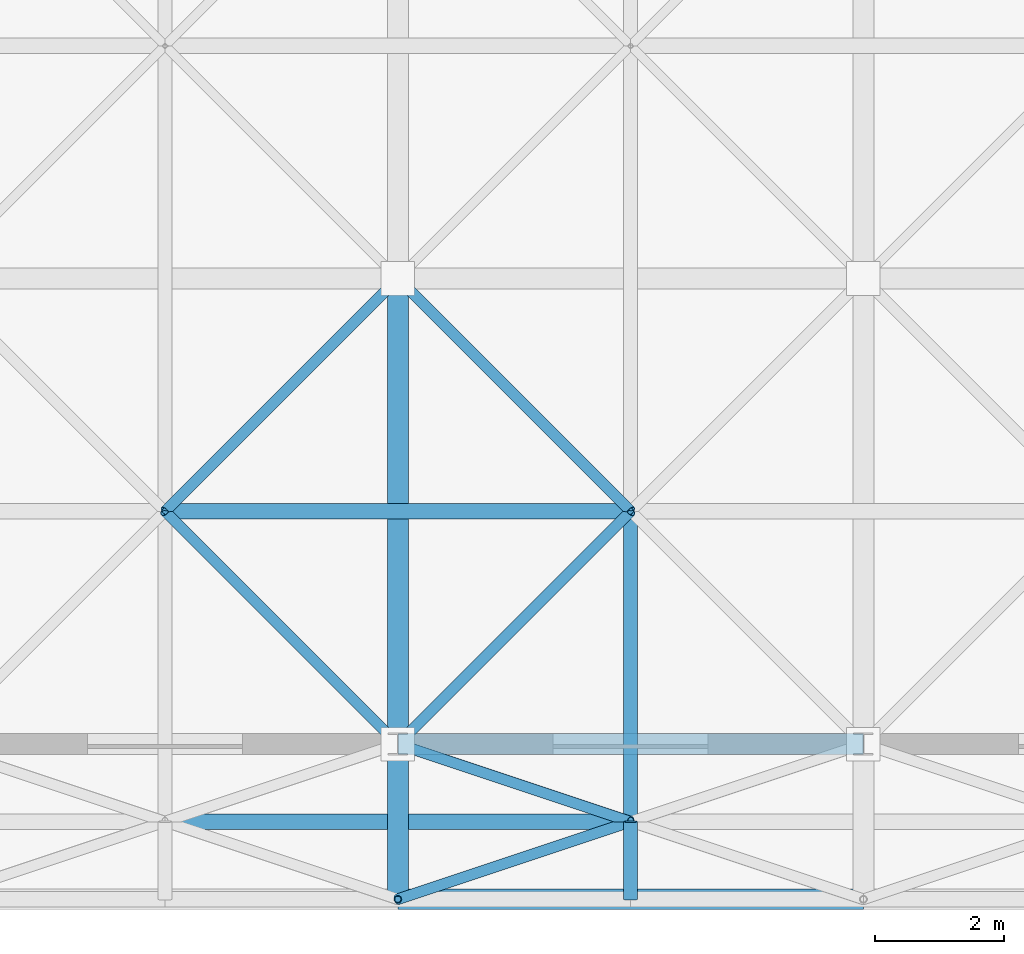
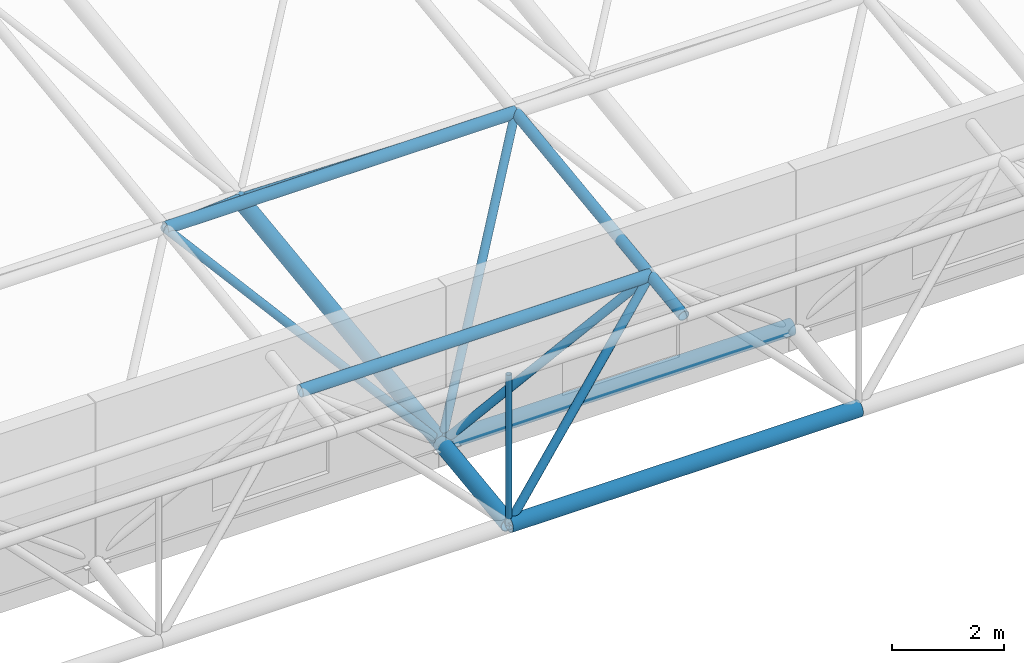
# One storey, part 33 of 103: 15 members.
"""IFC4 building model written with IfcOpenShell, lengths in metres."""

from ifc_helpers import new_model, si_unit, direction, frame, origin, origin_2d, place, context, subcontext, project, spatial, hollow_circle, extrude, material, material_profile, profile_set, type_object, element, save


model = new_model("IFC4")

# Units and contexts
model_context = context("Model", 3, precision=1e-05, world=origin(), true_north=direction((0.0, 1.0)))
body_context = subcontext(model_context, "Body", "Model", "MODEL_VIEW")
ifc_project = project(units=[si_unit("LENGTHUNIT", "METRE"), si_unit("AREAUNIT", "SQUARE_METRE"), si_unit("VOLUMEUNIT", "CUBIC_METRE"), si_unit("PLANEANGLEUNIT", "RADIAN"), si_unit("MASSUNIT", "GRAM", prefix="KILO")], contexts=[model_context])

# Site, building, storey
site_placement = place(None, origin())
site = spatial("IfcSite", under=ifc_project, at=site_placement, CompositionType="ELEMENT")
building_placement = place(site_placement, origin())
building = spatial("IfcBuilding", under=site, at=building_placement, Name="Thalmaran Polytechnic", CompositionType="ELEMENT")
storey_placement = place(building_placement, frame((0.0, 0.0, 14.39990234375)))
storey = spatial("IfcBuildingStorey", under=building, at=storey_placement, Name="L03", CompositionType="ELEMENT", Elevation=14.39990234375)

# Members
ifc_material = material(Name="Steel S355", Category="steel")
ifc_material_profile_1 = material_profile(ifc_material, hollow_circle(Radius=0.161865234375, WallThickness=0.012451171875, at=origin_2d()), Name="CHS 323.9x12.5")
ifc_profile_set_1 = profile_set([ifc_material_profile_1], Name="Steel S355")
member_type_1 = type_object("IfcMemberType", Name="MB-SFC0", PredefinedType="CHORD", material=ifc_profile_set_1)
member_1_placement = place(storey_placement, frame((122.39990234375, 0.0, 0.380126953125), z_axis=(1.0, 0.0, 0.0), x_axis=(0.0, 1.0, 0.0)))
element("IfcMember", 1, at=member_1_placement, inside=storey, type_object=member_type_1, Name="Space-Frame Bottom Chord X (2,1)", PredefinedType="CHORD", context=body_context, shape_type="SweptSolid", body=[
    extrude(hollow_circle(Radius=0.161865234375, WallThickness=0.012451171875, at=origin_2d()), origin(), (0.0, 0.0, 1.0), 7.2001953125),
])
ifc_material_profile_2 = material_profile(ifc_material, hollow_circle(Radius=0.122314453125, WallThickness=0.010009765625, at=origin_2d()), Name="CHS 244.5x10.0")
ifc_profile_set_2 = profile_set([ifc_material_profile_2], Name="Steel S355")
member_type_2 = type_object("IfcMemberType", Name="MB-SFC1", PredefinedType="CHORD", material=ifc_profile_set_2)
for number, where, z_axis, x_axis, name in (
    (2, (118.800048828125, -1.199951171875, 3.4921875), (1.0, 0.0, 0.0), (0.0, 1.0, 0.0), "Space-Frame Top Chord X (2,1)"),
    (3, (118.800048828125, 3.60009765625, 4.1240234375), (1.0, 0.0, 0.0), (0.0, 1.0, 0.0), "Space-Frame Top Chord X (2,2)"),
):
    element("IfcMember", number, at=place(storey_placement, frame(where, z_axis=z_axis, x_axis=x_axis)), inside=storey, type_object=member_type_2, Name=name, PredefinedType="CHORD", context=body_context, shape_type="SweptSolid", body=[
        extrude(hollow_circle(Radius=0.122314453125, WallThickness=0.010009765625, at=origin_2d()), origin(), (0.0, 0.0, 1.0), 7.199951171875),
    ])
ifc_material_profile_3 = material_profile(ifc_material, hollow_circle(Radius=0.109619140625, WallThickness=0.010009765625, at=origin_2d()), Name="CHS 219.1x10.0")
ifc_profile_set_3 = profile_set([ifc_material_profile_3], Name="Steel S355")
member_type_3 = type_object("IfcMemberType", Name="MB-SFC2", PredefinedType="CHORD", material=ifc_profile_set_3)
member_2_placement = place(storey_placement, frame((126.0, -2.39990234375, 3.334228515625), z_axis=(0.0, 0.99144674145, 0.130511910828), x_axis=(-1.0, 0.0, 0.0)))
element("IfcMember", 4, at=member_2_placement, inside=storey, type_object=member_type_3, Name="Space-Frame Top Chord Y (3,0)", PredefinedType="CHORD", context=body_context, shape_type="SweptSolid", body=[
    extrude(hollow_circle(Radius=0.109619140625, WallThickness=0.010009765625, at=origin_2d()), origin(), (0.0, 0.0, 1.0), 1.210205078125),
])
member_3_placement = place(storey_placement, frame((126.0, -1.199951171875, 3.4921875), z_axis=(0.0, 0.991447600372, 0.130505385777), x_axis=(-1.0, 0.0, 0.0)))
element("IfcMember", 5, at=member_3_placement, inside=storey, type_object=member_type_3, Name="Space-Frame Top Chord Y (3,1)", PredefinedType="CHORD", context=body_context, shape_type="SweptSolid", body=[
    extrude(hollow_circle(Radius=0.109619140625, WallThickness=0.010009765625, at=origin_2d()), origin(), (0.0, 0.0, 1.0), 4.841552734375),
])
ifc_material_profile_4 = material_profile(ifc_material, hollow_circle(Radius=0.161865234375, WallThickness=0.012451171875, at=origin_2d()), Name="CHS 323.9x12.5")
ifc_profile_set_4 = profile_set([ifc_material_profile_4], Name="Steel S355")
member_type_4 = type_object("IfcMemberType", Name="MB-SFC4", PredefinedType="CHORD", material=ifc_profile_set_4)
member_4_placement = place(storey_placement, frame((122.39990234375, -2.39990234375, 0.064208984375), z_axis=(1.0, 0.0, 0.0), x_axis=(0.0, 1.0, 0.0)))
element("IfcMember", 6, at=member_4_placement, inside=storey, type_object=member_type_4, Name="Space-Frame Bottom Chord X (2,0)", PredefinedType="CHORD", context=body_context, shape_type="SweptSolid", body=[
    extrude(hollow_circle(Radius=0.161865234375, WallThickness=0.012451171875, at=origin_2d()), origin(), (0.0, 0.0, 1.0), 7.2001953125),
])
member_5_placement = place(storey_placement, frame((122.39990234375, -2.39990234375, 0.064208984375), z_axis=(0.0, 0.99144674145, 0.130511910828), x_axis=(-1.0, 0.0, 0.0)))
element("IfcMember", 7, at=member_5_placement, inside=storey, type_object=member_type_4, Name="Space-Frame Bottom Chord Y (2,0)", PredefinedType="CHORD", context=body_context, shape_type="SweptSolid", body=[
    extrude(hollow_circle(Radius=0.161865234375, WallThickness=0.012451171875, at=origin_2d()), origin(), (0.0, 0.0, 1.0), 2.420654296875),
])
member_6_placement = place(storey_placement, frame((122.39990234375, 0.0, 0.380126953125), z_axis=(0.0, 0.991447314079, 0.130507560722), x_axis=(-1.0, 0.0, 0.0)))
element("IfcMember", 8, at=member_6_placement, inside=storey, type_object=member_type_4, Name="Space-Frame Bottom Chord Y (2,1)", PredefinedType="CHORD", context=body_context, shape_type="SweptSolid", body=[
    extrude(hollow_circle(Radius=0.161865234375, WallThickness=0.012451171875, at=origin_2d()), origin(), (0.0, 0.0, 1.0), 7.261962890625),
])
ifc_material_profile_5 = material_profile(ifc_material, hollow_circle(Radius=0.084228515625, WallThickness=0.008056640625, at=origin_2d()), Name="CHS 168.3x8.0")
ifc_profile_set_5 = profile_set([ifc_material_profile_5], Name="Steel S355")
member_type_5 = type_object("IfcMemberType", Name="MB-SFD1", PredefinedType="BRACE", material=ifc_profile_set_5)
member_7_placement = place(storey_placement, frame((122.39990234375, 0.0, 0.380126953125), z_axis=(-0.569639794751, 0.569678427494, 0.592433113089), x_axis=(-0.707130757816, -0.707082803744, 0.0)))
element("IfcMember", 9, at=member_7_placement, inside=storey, type_object=member_type_5, Name="Space-Frame Web Diagonal (1,1)-2", PredefinedType="BRACE", context=body_context, shape_type="SweptSolid", body=[
    extrude(hollow_circle(Radius=0.084228515625, WallThickness=0.008056640625, at=origin_2d()), origin(), (0.0, 0.0, 1.0), 6.319580078125),
])
member_8_placement = place(storey_placement, frame((122.39990234375, 7.199951171875, 1.327880859375), z_axis=(-0.619777888784, -0.619777888784, 0.481404961699), x_axis=(0.707106781187, -0.707106781187, 0.0)))
element("IfcMember", 10, at=member_8_placement, inside=storey, type_object=member_type_5, Name="Space-Frame Web Diagonal (1,1)-4", PredefinedType="BRACE", context=body_context, shape_type="SweptSolid", body=[
    extrude(hollow_circle(Radius=0.084228515625, WallThickness=0.008056640625, at=origin_2d()), origin(), (0.0, 0.0, 1.0), 5.808349609375),
])
member_9_placement = place(storey_placement, frame((122.39990234375, -2.39990234375, 0.064208984375), z_axis=(0.703987521352, 0.234646593479, 0.670330176815), x_axis=(-0.316208465333, 0.948689731394, 0.0)))
element("IfcMember", 11, at=member_9_placement, inside=storey, type_object=member_type_5, Name="Space-Frame Web Diagonal (2,0)-1", PredefinedType="BRACE", context=body_context, shape_type="SweptSolid", body=[
    extrude(hollow_circle(Radius=0.084228515625, WallThickness=0.008056640625, at=origin_2d()), origin(), (0.0, 0.0, 1.0), 5.11376953125),
])
member_10_placement = place(storey_placement, frame((122.39990234375, 0.0, 0.380126953125), z_axis=(0.733561258825, -0.244503837456, 0.634118090753), x_axis=(0.316208465333, 0.948689731394, 0.0)))
element("IfcMember", 12, at=member_10_placement, inside=storey, type_object=member_type_5, Name="Space-Frame Web Diagonal (2,0)-3", PredefinedType="BRACE", context=body_context, shape_type="SweptSolid", body=[
    extrude(hollow_circle(Radius=0.084228515625, WallThickness=0.008056640625, at=origin_2d()), origin(), (0.0, 0.0, 1.0), 4.90771484375),
])
member_11_placement = place(storey_placement, frame((122.39990234375, 0.0, 0.380126953125), z_axis=(0.569665890713, 0.569665890713, 0.592420075552), x_axis=(-0.707106781187, 0.707106781187, 0.0)))
element("IfcMember", 13, at=member_11_placement, inside=storey, type_object=member_type_5, Name="Space-Frame Web Diagonal (2,1)-1", PredefinedType="BRACE", context=body_context, shape_type="SweptSolid", body=[
    extrude(hollow_circle(Radius=0.084228515625, WallThickness=0.008056640625, at=origin_2d()), origin(), (0.0, 0.0, 1.0), 6.319580078125),
])
member_12_placement = place(storey_placement, frame((122.39990234375, 7.199951171875, 1.327880859375), z_axis=(0.619803774917, -0.619761742923, 0.481392420597), x_axis=(0.707082803744, 0.707130757816, 0.0)))
element("IfcMember", 14, at=member_12_placement, inside=storey, type_object=member_type_5, Name="Space-Frame Web Diagonal (2,1)-3", PredefinedType="BRACE", context=body_context, shape_type="SweptSolid", body=[
    extrude(hollow_circle(Radius=0.084228515625, WallThickness=0.008056640625, at=origin_2d()), origin(), (0.0, 0.0, 1.0), 5.808349609375),
])
ifc_material_profile_6 = material_profile(ifc_material, hollow_circle(Radius=0.05712890625, WallThickness=0.00634765625, at=origin_2d()), Name="CHS 114.3x6.3")
ifc_profile_set_6 = profile_set([ifc_material_profile_6], Name="Steel S355")
member_type_6 = type_object("IfcMemberType", Name="MB-SFD3", PredefinedType="BRACE", material=ifc_profile_set_6)
member_13_placement = place(storey_placement, frame((122.39990234375, -2.39990234375, 0.064208984375), z_axis=(0.0, 0.0, 1.0), x_axis=(1.0, 0.0, 0.0)))
element("IfcMember", 15, at=member_13_placement, inside=storey, type_object=member_type_6, Name="Space-Frame Eave Post (2,0)", PredefinedType="BRACE", context=body_context, shape_type="SweptSolid", body=[
    extrude(hollow_circle(Radius=0.05712890625, WallThickness=0.00634765625, at=origin_2d()), origin(), (0.0, 0.0, 1.0), 3.27001953125),
])

save(model, "model.ifc")
